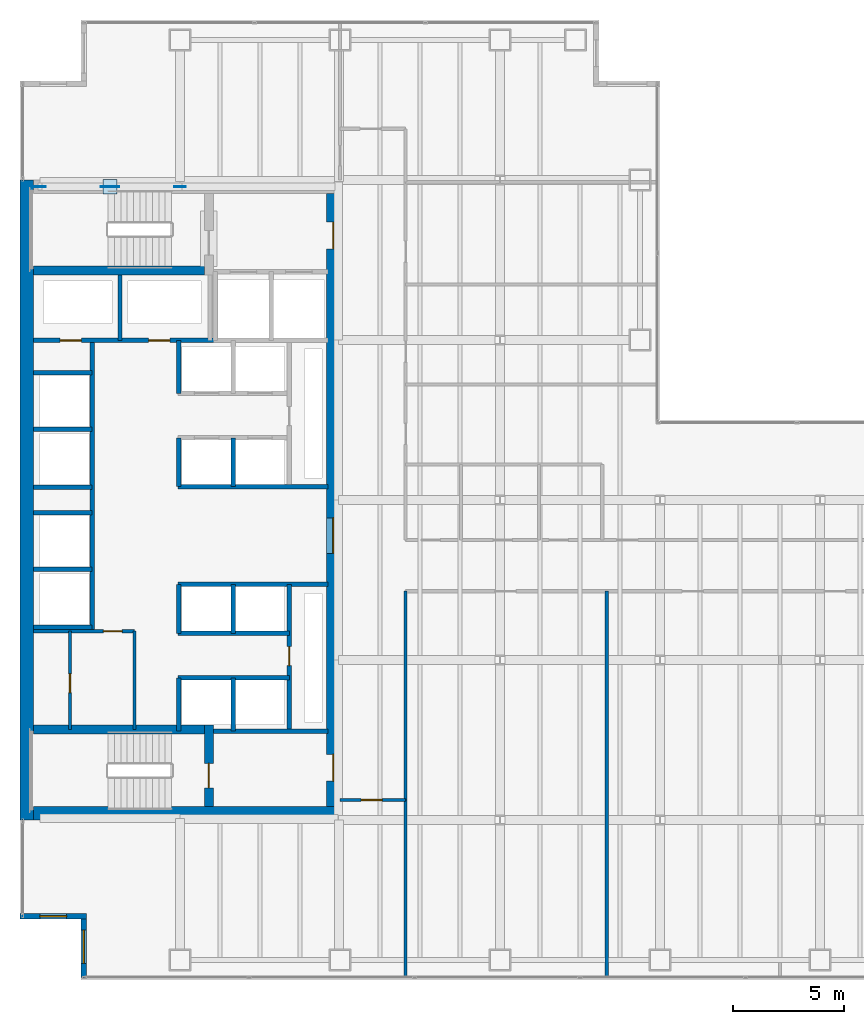
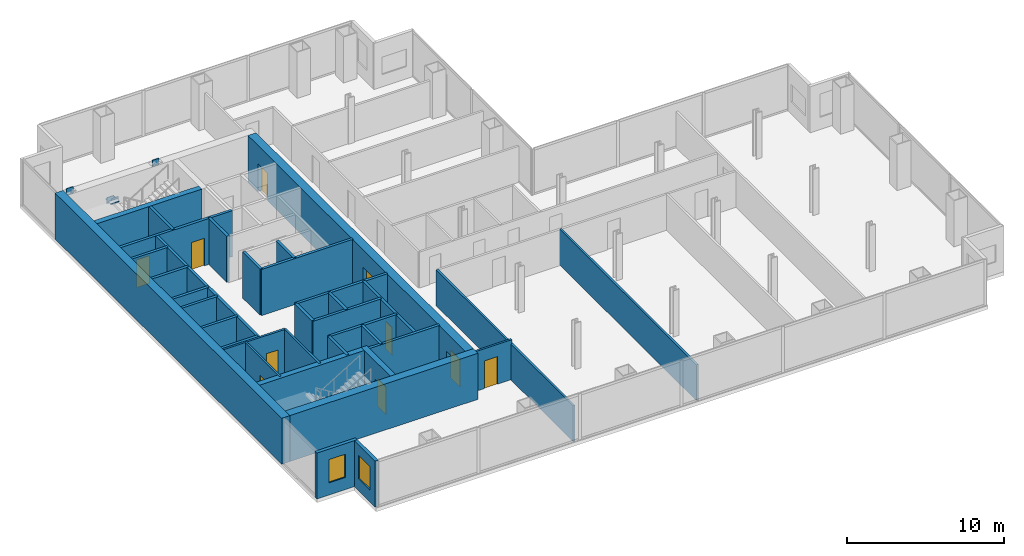
# One storey, part 20 of 23: 37 walls, 10 doors, 5 plates, 2 windows, 12 openings.
"""IFC4 building model written with IfcOpenShell, lengths in metres."""

import ifcopenshell
import ifcopenshell.guid

model = None  # the IFC model being written
_history = None  # IfcOwnerHistory: only IFC2X3 demands one
_inside = {}  # id of a spatial element -> (the spatial element, [elements in it])
_under = {}  # id of a project, library or spatial element -> (it, [spatial elements below it])
_declared = {}  # id of a project -> (the project, [libraries it declares])
_typed = {}  # id of a type object -> (the type object, [elements of that type])
_made_of = {}  # id of a material, layer set ... -> (it, [elements and type objects made of it])


def new_model(schema):
    """Start an empty IFC model of exactly this schema.

    Asked for "IFC4X3", IfcOpenShell would pick the latest addendum, in which some entities
    have other attributes; the version numbers below select the first issue.
    IFC2X3 requires an IfcOwnerHistory on every rooted entity: one is made here for all.
    """
    global model, _history
    if schema == "IFC4X3":
        model = ifcopenshell.file(schema_version=(4, 3, 0, 0))
    else:
        model = ifcopenshell.file(schema=schema)
    _inside.clear()
    _under.clear()
    _declared.clear()
    _typed.clear()
    _made_of.clear()
    _history = None
    if model.schema == "IFC2X3":
        org = make("IfcOrganization", Name="unknown")
        user = make(
            "IfcPersonAndOrganization",
            ThePerson=make("IfcPerson", FamilyName="unknown"),
            TheOrganization=org,
        )
        app = make(
            "IfcApplication",
            ApplicationDeveloper=org,
            Version="unknown",
            ApplicationFullName="unknown",
            ApplicationIdentifier="unknown",
        )
        _history = make(
            "IfcOwnerHistory",
            OwningUser=user,
            OwningApplication=app,
            ChangeAction="ADDED",
            CreationDate=0,
        )
    return model


def make(cls, **values):
    """One entity of the class cls with the attributes given. An attribute that is None is left unset."""
    return model.create_entity(
        cls, **{name: value for name, value in values.items() if value is not None}
    )


def rooted(cls, **values):
    """An entity with a GlobalId (a new one), such as an element, a storey or a relation."""
    return make(cls, GlobalId=ifcopenshell.guid.new(), OwnerHistory=_history, **values)


def si_unit(unit_type, name, prefix=None):
    """IfcSIUnit, for example si_unit("LENGTHUNIT", "METRE", prefix="MILLI")."""
    return make("IfcSIUnit", UnitType=unit_type, Prefix=prefix, Name=name)


def assignment(units):
    """IfcUnitAssignment: the units of a project."""
    return None if units is None else make("IfcUnitAssignment", Units=units)


def point(xyz):
    """IfcCartesianPoint."""
    return None if xyz is None else make("IfcCartesianPoint", Coordinates=xyz)


def direction(xyz):
    """IfcDirection."""
    return None if xyz is None else make("IfcDirection", DirectionRatios=xyz)


def frame(location, z_axis=None, x_axis=None):
    """IfcAxis2Placement3D, a coordinate frame: its origin and axes. An axis left out is left unset."""
    return make(
        "IfcAxis2Placement3D",
        Location=point(location),
        Axis=direction(z_axis),
        RefDirection=direction(x_axis),
    )


def frame_2d(location, x_axis=None):
    """IfcAxis2Placement2D, a coordinate frame in the plane: its origin and x axis."""
    return make(
        "IfcAxis2Placement2D", Location=point(location), RefDirection=direction(x_axis)
    )


def origin():
    """The frame at (0, 0, 0) with its axes left unset."""
    return frame((0.0, 0.0, 0.0))


def origin_2d():
    """The frame at (0, 0) in the plane with its x axis left unset."""
    return frame_2d((0.0, 0.0))


def place(relative_to, where):
    """IfcLocalPlacement: puts the frame where relative to a parent placement (None: the world)."""
    return make(
        "IfcLocalPlacement", PlacementRelTo=relative_to, RelativePlacement=where
    )


def context(
    kind, dimensions, precision=None, world=None, true_north=None, identifier=None
):
    """IfcGeometricRepresentationContext, for example the 3D "Model" context."""
    return make(
        "IfcGeometricRepresentationContext",
        ContextIdentifier=identifier,
        ContextType=kind,
        CoordinateSpaceDimension=dimensions,
        Precision=precision,
        WorldCoordinateSystem=world,
        TrueNorth=true_north,
    )


def subcontext(parent, identifier, kind, view, scale=None):
    """IfcGeometricRepresentationSubContext, for example "Body" below "Model"."""
    return make(
        "IfcGeometricRepresentationSubContext",
        ContextIdentifier=identifier,
        ContextType=kind,
        ParentContext=parent,
        TargetScale=scale,
        TargetView=view,
    )


def project(units=None, contexts=None):
    """IfcProject with its units and contexts."""
    return rooted(
        "IfcProject",
        Name="project",
        RepresentationContexts=contexts,
        UnitsInContext=assignment(units),
    )


def spatial(cls, under=None, at=None, **own):
    """A site, building, storey or space (cls), placed at a placement, below another one or the project."""
    s = rooted(cls, ObjectPlacement=at, **own)
    if under is not None:
        _under.setdefault(under.id(), (under, []))[1].append(s)
    return s


def profile(cls, at=None, kind="AREA", **sizes):
    """A parametric profile (cls). Its sizes go by their IFC names, for example OverallWidth=200.0."""
    return make(cls, ProfileType=kind, Position=at, **sizes)


def rectangle(**sizes):
    """IfcRectangleProfileDef."""
    return profile("IfcRectangleProfileDef", **sizes)


def extrude(swept, where, along, depth):
    """IfcExtrudedAreaSolid: the profile swept, set in the frame where, extruded along a direction by depth."""
    return make(
        "IfcExtrudedAreaSolid",
        SweptArea=swept,
        Position=where,
        ExtrudedDirection=direction(along),
        Depth=depth,
    )


def shape(context_of_items, identifier, shape_type, items):
    """IfcShapeRepresentation: the items that make up one representation, for example the "Body"."""
    return make(
        "IfcShapeRepresentation",
        ContextOfItems=context_of_items,
        RepresentationIdentifier=identifier,
        RepresentationType=shape_type,
        Items=items,
    )


def material(Name=None, Category=None):
    """IfcMaterial."""
    return make("IfcMaterial", Name=Name, Category=Category)


def layer(
    of_material, thickness, ventilated=None, Name=None, Category=None, Priority=None
):
    """IfcMaterialLayer: one layer of a wall or slab, of a material (None: an air gap)."""
    return make(
        "IfcMaterialLayer",
        Material=of_material,
        LayerThickness=thickness,
        IsVentilated=ventilated,
        Name=Name,
        Category=Category,
        Priority=Priority,
    )


def layer_set(layers, Name=None):
    """IfcMaterialLayerSet."""
    return make("IfcMaterialLayerSet", MaterialLayers=layers, LayerSetName=Name)


def made_of(thing, what):
    """Note that an element or type object is made of a material, layer set ...; save() writes the relation."""
    if what is not None:
        _made_of.setdefault(what.id(), (what, []))[1].append(thing)
    return thing


def type_object(cls, material=None, **own):
    """A type object (cls), such as IfcWallType, which elements share."""
    return made_of(rooted(cls, **own), material)


def element(
    cls,
    number,
    at=None,
    inside=None,
    cuts=None,
    type_object=None,
    material=None,
    context=None,
    identifier="Body",
    shape_type=None,
    held_by="IfcProductDefinitionShape",
    body=None,
    shapes=None,
    **own,
):
    """One element of the class cls, such as IfcWall. Its Tag is "e" and its number.

    at: its placement. inside: the storey or other place that contains it. cuts: it is an
    opening in that element (IfcRelVoidsElement). A single representation is given by context,
    identifier, shape_type and body (its items); several are given by shapes. held_by: the class
    of the entity that holds the representations. save() writes the other relations.
    """
    e = rooted(cls, Tag="e%d" % number, ObjectPlacement=at, **own)
    if body is not None:
        shapes = [shape(context, identifier, shape_type, body)]
    if shapes is not None:
        e.Representation = make(held_by, Representations=shapes)
    if inside is not None:
        _inside.setdefault(inside.id(), (inside, []))[1].append(e)
    if cuts is not None:
        rooted(
            "IfcRelVoidsElement", RelatingBuildingElement=cuts, RelatedOpeningElement=e
        )
    if type_object is not None:
        _typed.setdefault(type_object.id(), (type_object, []))[1].append(e)
    return made_of(e, material)


def fill(opening, filler):
    """IfcRelFillsElement: the door or window that sits in an opening."""
    return rooted(
        "IfcRelFillsElement",
        RelatingOpeningElement=opening,
        RelatedBuildingElement=filler,
    )


def aggregate(whole, parts):
    """IfcRelAggregates: a whole, such as a stair, and the parts it consists of."""
    return rooted("IfcRelAggregates", RelatingObject=whole, RelatedObjects=parts)


def save(model, path):
    """Write the relations noted so far, then the file.

    IfcRelAggregates (storeys below a building ...), IfcRelContainedInSpatialStructure (elements
    in a storey), IfcRelDefinesByType, IfcRelAssociatesMaterial and IfcRelDeclares: one each for
    every whole, place, type object, material and project.
    """
    for whole, parts in _under.values():
        aggregate(whole, parts)
    for where, things in _inside.values():
        rooted(
            "IfcRelContainedInSpatialStructure",
            RelatedElements=things,
            RelatingStructure=where,
        )
    for kind, things in _typed.values():
        rooted("IfcRelDefinesByType", RelatedObjects=things, RelatingType=kind)
    for what, things in _made_of.values():
        rooted("IfcRelAssociatesMaterial", RelatedObjects=things, RelatingMaterial=what)
    for by, libraries in _declared.values():
        rooted("IfcRelDeclares", RelatingContext=by, RelatedDefinitions=libraries)
    model.write(path)


model = new_model("IFC4")

# Units and contexts
model_context = context("Model", 3, precision=1e-05, world=origin(), true_north=direction((0.0, 1.0)))
body_context = subcontext(model_context, "Body", "Model", "MODEL_VIEW")
ifc_project = project(units=[si_unit("LENGTHUNIT", "METRE"), si_unit("AREAUNIT", "SQUARE_METRE"), si_unit("VOLUMEUNIT", "CUBIC_METRE"), si_unit("PLANEANGLEUNIT", "RADIAN"), si_unit("MASSUNIT", "GRAM", prefix="KILO")], contexts=[model_context])

# Site, building, storey
site_placement = place(None, origin())
site = spatial("IfcSite", under=ifc_project, at=site_placement, CompositionType="ELEMENT")
building_placement = place(site_placement, origin())
building = spatial("IfcBuilding", under=site, at=building_placement, Name="Cobrela Telecom Tower", CompositionType="ELEMENT")
storey_placement = place(building_placement, frame((0.0, 0.0, 73.5)))
storey = spatial("IfcBuildingStorey", under=building, at=storey_placement, Name="L18", CompositionType="ELEMENT", Elevation=73.5)

# Plates
ifc_material_1 = material(Name="Steel ASTM A572 Grade 50", Category="steel")
ifc_layer_1 = layer(ifc_material_1, 0.0419921875)
ifc_layer_set_1 = layer_set([ifc_layer_1], Name="Steel ASTM A572 Grade 50")
plate_type = type_object("IfcPlateType", Name="PLT-NODE-ND1", PredefinedType="USERDEFINED", material=ifc_layer_set_1)
for number, where, z_axis, x_axis, name in (
    (1, (7.199951171875, 35.699951171875, 3.35498046875), (0.0, 0.0, 1.0), (1.0, 0.0, 0.0), "Steel node plate PLT-MBR-EXO-L18-N1-A-1"),
    (2, (4.219482421875, 35.699951171875, 1.431640625), (0.0, 0.0, 1.0), (-1.0, 0.0, 0.0), "Steel node plate PLT-MBR-EXO-L18-N1-B1-1"),
    (3, (3.88037109375, 35.699951171875, 1.62841796875), (0.0, 0.0, 1.0), (-1.0, 0.0, 0.0), "Steel node plate PLT-MBR-EXO-L18-N1-B2-0"),
    (4, (0.89990234375, 35.699951171875, 3.35498046875), (0.0, 0.0, 1.0), (-1.0, 0.0, 0.0), "Steel node plate PLT-MBR-EXO-L18-N1-B2-1"),
):
    element("IfcPlate", number, at=place(storey_placement, frame(where, z_axis=z_axis, x_axis=x_axis)), inside=storey, type_object=plate_type, Name=name, ObjectType="GUSSET PLATE", PredefinedType="USERDEFINED", context=body_context, shape_type="SweptSolid", body=[
        extrude(rectangle(XDim=0.510009765625, YDim=0.044921875, at=origin_2d()), origin(), (0.0, 0.0, 1.0), 0.510009765625),
    ])
plate_placement = place(storey_placement, frame((4.050048828125, 35.699951171875, 1.762451171875), z_axis=(0.0, 0.0, 1.0), x_axis=(1.0, 0.0, 0.0)))
element("IfcPlate", 5, at=plate_placement, inside=storey, type_object=plate_type, Name="L18 Core Flange Steel X-Brace Central X-Crossing Gusset Plate", ObjectType="GUSSET PLATE", PredefinedType="USERDEFINED", context=body_context, shape_type="SweptSolid", body=[
    extrude(rectangle(XDim=0.64990234375, YDim=0.64990234375, at=origin_2d()), origin(), (0.0, 0.0, 1.0), 0.044921875),
])

# Walls
ifc_material_2 = material(Name="Concrete C50/60", Category="concrete")
ifc_layer_2 = layer(ifc_material_2, 0.60009765625)
ifc_layer_set_2 = layer_set([ifc_layer_2], Name="Concrete C50/60")
wall_type_1 = type_object("IfcWallType", Name="WALL-CORE-C50-600", PredefinedType="SHEAR", material=ifc_layer_set_2)
wall_1_placement = place(storey_placement, frame((0.300048828125, 7.199951171875, 0.0), z_axis=(0.0, 0.0, 1.0), x_axis=(0.0, 1.0, 0.0)))
element("IfcWall", 6, at=wall_1_placement, inside=storey, type_object=wall_type_1, Name="L18 West Core Shear Wall", PredefinedType="SHEAR", context=body_context, shape_type="SweptSolid", body=[
    extrude(rectangle(XDim=28.800048828125, YDim=0.60009765625, at=frame_2d((14.39990234375, 0.0))), origin(), (0.0, 0.0, 1.0), 3.570068359375),
])
wall_2_placement = place(storey_placement, frame((0.60009765625, 7.5, 0.0), z_axis=(0.0, 0.0, 1.0), x_axis=(1.0, 0.0, 0.0)))
element("IfcWall", 7, at=wall_2_placement, inside=storey, type_object=wall_type_1, Name="L18 South Core Shear Wall", PredefinedType="SHEAR", context=body_context, shape_type="SweptSolid", body=[
    extrude(rectangle(XDim=13.7998046875, YDim=0.60009765625, at=frame_2d((6.89990234375, 0.0))), origin(), (0.0, 0.0, 1.0), 3.570068359375),
])

# Wall, openings, doors
wall_3_placement = place(storey_placement, frame((14.10009765625, 35.39990234375, 0.0), z_axis=(0.0, 0.0, 1.0), x_axis=(0.0, -1.0, 0.0)))
wall_3 = element("IfcWall", 8, at=wall_3_placement, inside=storey, type_object=wall_type_1, Name="L18 East Core Shear Wall", PredefinedType="SHEAR", context=body_context, shape_type="SweptSolid", body=[
    extrude(rectangle(XDim=27.599853515625, YDim=0.60009765625, at=frame_2d((13.7998046875, 0.0))), origin(), (0.0, 0.0, 1.0), 3.570068359375),
])
opening_1_placement = place(wall_3_placement, frame((1.300048828125, 0.0, 0.0)))
opening_1 = element("IfcOpeningElement", 9, at=opening_1_placement, cuts=wall_3, Name="Opening DR-19", PredefinedType="OPENING", context=body_context, shape_type="SweptSolid", body=[
    extrude(rectangle(XDim=1.199951171875, YDim=2.14990234375, at=frame_2d((0.60009765625, 1.074951171875))), frame((0.0, 0.31201171875, 0.0), z_axis=(0.0, -1.0, 0.0), x_axis=(1.0, 0.0, 0.0)), (0.0, 0.0, 1.0), 0.6240234375),
])
opening_2_placement = place(wall_3_placement, frame((25.25, 0.0, 0.0)))
opening_2 = element("IfcOpeningElement", 10, at=opening_2_placement, cuts=wall_3, Name="Opening DR-19", PredefinedType="OPENING", context=body_context, shape_type="SweptSolid", body=[
    extrude(rectangle(XDim=1.199951171875, YDim=2.14990234375, at=frame_2d((0.60009765625, 1.074951171875))), frame((0.0, 0.31201171875, 0.0), z_axis=(0.0, -1.0, 0.0), x_axis=(1.0, 0.0, 0.0)), (0.0, 0.0, 1.0), 0.6240234375),
])
opening_3_placement = place(wall_3_placement, frame((14.60009765625, 0.0, 0.0)))
opening_3 = element("IfcOpeningElement", 11, at=opening_3_placement, cuts=wall_3, Name="Opening DR-51", PredefinedType="OPENING", context=body_context, shape_type="SweptSolid", body=[
    extrude(rectangle(XDim=1.60009765625, YDim=2.199951171875, at=frame_2d((0.800048828125, 1.10009765625))), frame((0.0, 0.31201171875, 0.0), z_axis=(0.0, -1.0, 0.0), x_axis=(1.0, 0.0, 0.0)), (0.0, 0.0, 1.0), 0.6240234375),
])
ifc_material_3 = material(Name="Steel ASTM A36", Category="steel")
door_type_1 = type_object("IfcDoorType", Name="DOOR-FD60-1200", OperationType="SINGLE_SWING_LEFT", PredefinedType="DOOR", material=ifc_material_3)
door_1_placement = place(opening_1_placement, origin())
door_1 = element("IfcDoor", 12, at=door_1_placement, inside=storey, type_object=door_type_1, Name="L18 Door DR-19", OperationType="SINGLE_SWING_LEFT", OverallHeight=2.14990234375, OverallWidth=1.199951171875, PredefinedType="DOOR", context=body_context, shape_type="SweptSolid", body=[
    extrude(rectangle(XDim=1.199951171875, YDim=2.14990234375, at=frame_2d((0.60009765625, 1.074951171875))), frame((0.0, 0.02490234375, 0.0), z_axis=(0.0, -1.0, 0.0), x_axis=(1.0, 0.0, 0.0)), (0.0, 0.0, 1.0), 0.050048828125),
])
fill(opening_1, door_1)
door_2_placement = place(opening_2_placement, origin())
door_2 = element("IfcDoor", 13, at=door_2_placement, inside=storey, type_object=door_type_1, Name="L18 Door DR-19", OperationType="SINGLE_SWING_RIGHT", OverallHeight=2.14990234375, OverallWidth=1.199951171875, PredefinedType="DOOR", context=body_context, shape_type="SweptSolid", body=[
    extrude(rectangle(XDim=1.199951171875, YDim=2.14990234375, at=frame_2d((0.60009765625, 1.074951171875))), frame((0.0, 0.02490234375, 0.0), z_axis=(0.0, -1.0, 0.0), x_axis=(1.0, 0.0, 0.0)), (0.0, 0.0, 1.0), 0.050048828125),
])
fill(opening_2, door_2)
door_type_2 = type_object("IfcDoorType", Name="DOOR-FD60-1600", OperationType="SINGLE_SWING_LEFT", PredefinedType="DOOR", material=ifc_material_3)
door_3_placement = place(opening_3_placement, origin())
door_3 = element("IfcDoor", 14, at=door_3_placement, inside=storey, type_object=door_type_2, Name="L18 Door DR-51", OperationType="DOUBLE_DOOR_SINGLE_SWING", OverallHeight=2.199951171875, OverallWidth=1.60009765625, PredefinedType="DOOR", context=body_context, shape_type="SweptSolid", body=[
    extrude(rectangle(XDim=1.60009765625, YDim=2.199951171875, at=frame_2d((0.800048828125, 1.10009765625))), frame((0.0, 0.02490234375, 0.0), z_axis=(0.0, -1.0, 0.0), x_axis=(1.0, 0.0, 0.0)), (0.0, 0.0, 1.0), 0.050048828125),
])
fill(opening_3, door_3)

# Wall, opening, window
ifc_material_4 = material(Name="Concrete C40/50", Category="concrete")
ifc_layer_3 = layer(ifc_material_4, 0.239990234375)
ifc_layer_set_3 = layer_set([ifc_layer_3], Name="Concrete C40/50")
wall_type_2 = type_object("IfcWallType", Name="WALL-EXT-300", PredefinedType="STANDARD", material=ifc_layer_set_3)
wall_4_placement = place(storey_placement, frame((2.8701171875, 0.1201171875, 0.0), z_axis=(0.0, 0.0, 1.0), x_axis=(0.0, 1.0, 0.0)))
wall_4 = element("IfcWall", 15, at=wall_4_placement, inside=storey, type_object=wall_type_2, Name="L18 Insulated Facade Wall 01", PredefinedType="STANDARD", context=body_context, shape_type="SweptSolid", body=[
    extrude(rectangle(XDim=2.75, YDim=0.239990234375, at=frame_2d((1.375, 0.0))), origin(), (0.0, 0.0, 1.0), 3.570068359375),
])
opening_4_placement = place(wall_4_placement, frame((0.625, 0.0, 0.949951171875)))
opening_4 = element("IfcOpeningElement", 16, at=opening_4_placement, cuts=wall_4, Name="Opening WN-45", PredefinedType="OPENING", context=body_context, shape_type="SweptSolid", body=[
    extrude(rectangle(XDim=1.5, YDim=1.800048828125, at=frame_2d((0.75, 0.89990234375))), frame((0.0, 0.1318359375, 0.0), z_axis=(0.0, -1.0, 0.0), x_axis=(1.0, 0.0, 0.0)), (0.0, 0.0, 1.0), 0.263916015625),
])
ifc_material_5 = material(Name="Solar-Control Bronze Low-E Glass", Category="glass")
window_type_1 = type_object("IfcWindowType", Name="WIN-MOD-1500", PartitioningType="SINGLE_PANEL", PredefinedType="WINDOW", material=ifc_material_5)
window_1_placement = place(opening_4_placement, origin())
window_1 = element("IfcWindow", 17, at=window_1_placement, inside=storey, type_object=window_type_1, Name="L18 Corner Notch Facade Window 080", OverallHeight=1.800048828125, OverallWidth=1.5, PartitioningType="SINGLE_PANEL", PredefinedType="WINDOW", context=body_context, shape_type="SweptSolid", body=[
    extrude(rectangle(XDim=1.5, YDim=1.800048828125, at=frame_2d((0.75, 0.89990234375))), frame((0.0, 0.030029296875, 0.0), z_axis=(0.0, -1.0, 0.0), x_axis=(1.0, 0.0, 0.0)), (0.0, 0.0, 1.0), 0.06005859375),
])
fill(opening_4, window_1)

wall_5_placement = place(storey_placement, frame((2.989990234375, 2.8701171875, 0.0), z_axis=(0.0, 0.0, 1.0), x_axis=(-1.0, 0.0, 0.0)))
wall_5 = element("IfcWall", 18, at=wall_5_placement, inside=storey, type_object=wall_type_2, Name="L18 Insulated Facade Wall 02", PredefinedType="STANDARD", context=body_context, shape_type="SweptSolid", body=[
    extrude(rectangle(XDim=2.989990234375, YDim=0.239990234375, at=frame_2d((1.4951171875, 0.0))), origin(), (0.0, 0.0, 1.0), 3.570068359375),
])
opening_5_placement = place(wall_5_placement, frame((0.89501953125, 0.0, 0.949951171875)))
opening_5 = element("IfcOpeningElement", 19, at=opening_5_placement, cuts=wall_5, Name="Opening WN-19", PredefinedType="OPENING", context=body_context, shape_type="SweptSolid", body=[
    extrude(rectangle(XDim=1.199951171875, YDim=1.800048828125, at=frame_2d((0.60009765625, 0.89990234375))), frame((0.0, 0.1318359375, 0.0), z_axis=(0.0, -1.0, 0.0), x_axis=(1.0, 0.0, 0.0)), (0.0, 0.0, 1.0), 0.263916015625),
])
window_type_2 = type_object("IfcWindowType", Name="WIN-MOD-1200", PartitioningType="SINGLE_PANEL", PredefinedType="WINDOW", material=ifc_material_5)
window_2_placement = place(opening_5_placement, origin())
window_2 = element("IfcWindow", 20, at=window_2_placement, inside=storey, type_object=window_type_2, Name="L18 Corner Notch Facade Window 081", OverallHeight=1.800048828125, OverallWidth=1.199951171875, PartitioningType="SINGLE_PANEL", PredefinedType="WINDOW", context=body_context, shape_type="SweptSolid", body=[
    extrude(rectangle(XDim=1.199951171875, YDim=1.800048828125, at=frame_2d((0.60009765625, 0.89990234375))), frame((0.0, 0.030029296875, 0.0), z_axis=(0.0, -1.0, 0.0), x_axis=(1.0, 0.0, 0.0)), (0.0, 0.0, 1.0), 0.06005859375),
])
fill(opening_5, window_2)

# Wall, opening, door
ifc_material_6 = material(Name="Fire-Rated Gypsum Plasterboard")
ifc_layer_4 = layer(ifc_material_6, 0.125)
ifc_layer_set_4 = layer_set([ifc_layer_4], Name="Fire-Rated Gypsum Plasterboard")
wall_type_3 = type_object("IfcWallType", Name="WALL-PART-125", PredefinedType="PARTITIONING", material=ifc_layer_set_4)
wall_6_placement = place(storey_placement, frame((2.25, 11.280029296875, 0.0), z_axis=(0.0, 0.0, 1.0), x_axis=(0.0, 1.0, 0.0)))
wall_6 = element("IfcWall", 21, at=wall_6_placement, inside=storey, type_object=wall_type_3, Name="L18 Interior Partition CW-FK0-V", PredefinedType="PARTITIONING", context=body_context, shape_type="SweptSolid", body=[
    extrude(rectangle(XDim=4.419921875, YDim=0.125, at=frame_2d((2.2099609375, 0.0))), origin(), (0.0, 0.0, 1.0), 3.570068359375),
])
opening_6_placement = place(wall_6_placement, frame((1.64990234375, 0.0, 0.0)))
opening_6 = element("IfcOpeningElement", 22, at=opening_6_placement, cuts=wall_6, Name="Opening DR-11", PredefinedType="OPENING", context=body_context, shape_type="SweptSolid", body=[
    extrude(rectangle(XDim=0.85009765625, YDim=2.14990234375, at=frame_2d((0.425048828125, 1.074951171875))), frame((0.0, 0.074462890625, 0.0), z_axis=(0.0, -1.0, 0.0), x_axis=(1.0, 0.0, 0.0)), (0.0, 0.0, 1.0), 0.14892578125),
])
ifc_material_7 = material(Name="Solid Engineered Oak Timber", Category="wood")
door_type_3 = type_object("IfcDoorType", Name="DOOR-INT-850", OperationType="SINGLE_SWING_LEFT", PredefinedType="DOOR", material=ifc_material_7)
door_4_placement = place(opening_6_placement, origin())
door_4 = element("IfcDoor", 23, at=door_4_placement, inside=storey, type_object=door_type_3, Name="L18 Door DR-11", OperationType="SINGLE_SWING_LEFT", OverallHeight=2.14990234375, OverallWidth=0.85009765625, PredefinedType="DOOR", context=body_context, shape_type="SweptSolid", body=[
    extrude(rectangle(XDim=0.85009765625, YDim=2.14990234375, at=frame_2d((0.425048828125, 1.074951171875))), frame((0.0, 0.02490234375, 0.0), z_axis=(0.0, -1.0, 0.0), x_axis=(1.0, 0.0, 0.0)), (0.0, 0.0, 1.0), 0.050048828125),
])
fill(opening_6, door_4)

ifc_layer_5 = layer(ifc_material_6, 0.14990234375)
ifc_layer_set_5 = layer_set([ifc_layer_5], Name="Fire-Rated Gypsum Plasterboard")
wall_type_4 = type_object("IfcWallType", Name="WALL-PART-150", PredefinedType="PARTITIONING", material=ifc_layer_set_5)
wall_7_placement = place(storey_placement, frame((0.60009765625, 15.699951171875, 0.0), z_axis=(0.0, 0.0, 1.0), x_axis=(1.0, 0.0, 0.0)))
wall_7 = element("IfcWall", 24, at=wall_7_placement, inside=storey, type_object=wall_type_4, Name="L18 Interior Partition CW-FLEX-N", PredefinedType="PARTITIONING", context=body_context, shape_type="SweptSolid", body=[
    extrude(rectangle(XDim=4.5498046875, YDim=0.14990234375, at=frame_2d((2.27490234375, 0.0))), origin(), (0.0, 0.0, 1.0), 3.570068359375),
])
opening_7_placement = place(wall_7_placement, frame((3.14990234375, 0.0, 0.0)))
opening_7 = element("IfcOpeningElement", 25, at=opening_7_placement, cuts=wall_7, Name="Opening DR-11", PredefinedType="OPENING", context=body_context, shape_type="SweptSolid", body=[
    extrude(rectangle(XDim=0.85009765625, YDim=2.14990234375, at=frame_2d((0.425048828125, 1.074951171875))), frame((0.0, 0.0869140625, 0.0), z_axis=(0.0, -1.0, 0.0), x_axis=(1.0, 0.0, 0.0)), (0.0, 0.0, 1.0), 0.173828125),
])
door_5_placement = place(opening_7_placement, origin())
door_5 = element("IfcDoor", 26, at=door_5_placement, inside=storey, type_object=door_type_3, Name="L18 Door DR-11", OperationType="SINGLE_SWING_RIGHT", OverallHeight=2.14990234375, OverallWidth=0.85009765625, PredefinedType="DOOR", context=body_context, shape_type="SweptSolid", body=[
    extrude(rectangle(XDim=0.85009765625, YDim=2.14990234375, at=frame_2d((0.425048828125, 1.074951171875))), frame((0.0, 0.02490234375, 0.0), z_axis=(0.0, -1.0, 0.0), x_axis=(1.0, 0.0, 0.0)), (0.0, 0.0, 1.0), 0.050048828125),
])
fill(opening_7, door_5)

# Wall
wall_8_placement = place(storey_placement, frame((5.14990234375, 11.280029296875, 0.0), z_axis=(0.0, 0.0, 1.0), x_axis=(0.0, 1.0, 0.0)))
element("IfcWall", 27, at=wall_8_placement, inside=storey, type_object=wall_type_4, Name="L18 Interior Partition CW-FLEX-E", PredefinedType="PARTITIONING", context=body_context, shape_type="SweptSolid", body=[
    extrude(rectangle(XDim=4.419921875, YDim=0.14990234375, at=frame_2d((2.2099609375, 0.0))), origin(), (0.0, 0.0, 1.0), 3.570068359375),
])

# Wall, opening, door
wall_9_placement = place(storey_placement, frame((14.39990234375, 8.10009765625, 0.0), z_axis=(0.0, 0.0, 1.0), x_axis=(1.0, 0.0, 0.0)))
wall_9 = element("IfcWall", 28, at=wall_9_placement, inside=storey, type_object=wall_type_4, Name="L18 Interior Partition W-C-S0", PredefinedType="PARTITIONING", context=body_context, shape_type="SweptSolid", body=[
    extrude(rectangle(XDim=2.9501953125, YDim=0.14990234375, at=frame_2d((1.47509765625, 0.0))), origin(), (0.0, 0.0, 1.0), 3.087890625),
])
opening_8_placement = place(wall_9_placement, frame((0.949951171875, 0.0, 0.0)))
opening_8 = element("IfcOpeningElement", 29, at=opening_8_placement, cuts=wall_9, Name="Opening DR-67", PredefinedType="OPENING", context=body_context, shape_type="SweptSolid", body=[
    extrude(rectangle(XDim=0.949951171875, YDim=2.14990234375, at=frame_2d((0.47509765625, 1.074951171875))), frame((0.0, 0.0869140625, 0.0), z_axis=(0.0, -1.0, 0.0), x_axis=(1.0, 0.0, 0.0)), (0.0, 0.0, 1.0), 0.173828125),
])
door_type_4 = type_object("IfcDoorType", Name="DOOR-INT-950", OperationType="SINGLE_SWING_LEFT", PredefinedType="DOOR", material=ifc_material_7)
door_6_placement = place(opening_8_placement, origin())
door_6 = element("IfcDoor", 30, at=door_6_placement, inside=storey, type_object=door_type_4, Name="L18 Door DR-67", OperationType="SINGLE_SWING_RIGHT", OverallHeight=2.14990234375, OverallWidth=0.949951171875, PredefinedType="DOOR", context=body_context, shape_type="SweptSolid", body=[
    extrude(rectangle(XDim=0.949951171875, YDim=2.14990234375, at=frame_2d((0.47509765625, 1.074951171875))), frame((0.0, 0.02490234375, 0.0), z_axis=(0.0, -1.0, 0.0), x_axis=(1.0, 0.0, 0.0)), (0.0, 0.0, 1.0), 0.050048828125),
])
fill(opening_8, door_6)

# Walls
wall_10_placement = place(storey_placement, frame((17.35009765625, 8.10009765625, 0.0), z_axis=(0.0, 0.0, 1.0), x_axis=(0.0, 1.0, 0.0)))
element("IfcWall", 31, at=wall_10_placement, inside=storey, type_object=wall_type_4, Name="L18 Interior Partition W-C-E1", PredefinedType="PARTITIONING", context=body_context, shape_type="SweptSolid", body=[
    extrude(rectangle(XDim=9.39990234375, YDim=0.14990234375, at=frame_2d((4.699951171875, 0.0))), origin(), (0.0, 0.0, 1.0), 2.782958984375),
])
wall_11_placement = place(storey_placement, frame((17.35009765625, 0.1201171875, 0.0), z_axis=(0.0, 0.0, 1.0), x_axis=(0.0, 1.0, 0.0)))
element("IfcWall", 32, at=wall_11_placement, inside=storey, type_object=wall_type_4, Name="L18 Interior Partition W-SW-E", PredefinedType="PARTITIONING", context=body_context, shape_type="SweptSolid", body=[
    extrude(rectangle(XDim=7.97998046875, YDim=0.14990234375, at=frame_2d((3.989990234375, 0.0))), origin(), (0.0, 0.0, 1.0), 2.782958984375),
])
wall_12_placement = place(storey_placement, frame((26.39990234375, 0.1201171875, 0.0), z_axis=(0.0, 0.0, 1.0), x_axis=(0.0, 1.0, 0.0)))
element("IfcWall", 33, at=wall_12_placement, inside=storey, type_object=wall_type_4, Name="L18 Interior Partition W-SV-1", PredefinedType="PARTITIONING", context=body_context, shape_type="SweptSolid", body=[
    extrude(rectangle(XDim=17.3798828125, YDim=0.14990234375, at=frame_2d((8.68994140625, 0.0))), origin(), (0.0, 0.0, 1.0), 2.782958984375),
])
ifc_layer_6 = layer(ifc_material_6, 0.199951171875)
ifc_layer_set_6 = layer_set([ifc_layer_6], Name="Fire-Rated Gypsum Plasterboard")
wall_type_5 = type_object("IfcWallType", Name="WALL-SHAFT-200", PredefinedType="PARTITIONING", material=ifc_layer_set_6)
wall_13_placement = place(storey_placement, frame((8.699951171875, 11.199951171875, 0.0), z_axis=(0.0, 0.0, 1.0), x_axis=(1.0, 0.0, 0.0)))
element("IfcWall", 34, at=wall_13_placement, inside=storey, type_object=wall_type_5, Name="L18 Shaft Enclosure CW-ST2L-N", PredefinedType="PARTITIONING", context=body_context, shape_type="SweptSolid", body=[
    extrude(rectangle(XDim=5.150146484375, YDim=0.199951171875, at=frame_2d((2.5751953125, 0.0))), origin(), (0.0, 0.0, 1.0), 3.570068359375),
])

# Wall, openings, doors
wall_14_placement = place(storey_placement, frame((0.60009765625, 28.780029296875, 0.0), z_axis=(0.0, 0.0, 1.0), x_axis=(1.0, 0.0, 0.0)))
wall_14 = element("IfcWall", 35, at=wall_14_placement, inside=storey, type_object=wall_type_5, Name="L18 Shaft Enclosure CW-RIS-S", PredefinedType="PARTITIONING", context=body_context, shape_type="SweptSolid", body=[
    extrude(rectangle(XDim=8.179931640625, YDim=0.199951171875, at=frame_2d((4.08984375, 0.0))), origin(), (0.0, 0.0, 1.0), 3.570068359375),
])
opening_9_placement = place(wall_14_placement, frame((1.2099609375, 0.0, 0.0)))
opening_9 = element("IfcOpeningElement", 36, at=opening_9_placement, cuts=wall_14, Name="Opening DR-65", PredefinedType="OPENING", context=body_context, shape_type="SweptSolid", body=[
    extrude(rectangle(XDim=0.949951171875, YDim=2.14990234375, at=frame_2d((0.47509765625, 1.074951171875))), frame((0.0, 0.11181640625, 0.0), z_axis=(0.0, -1.0, 0.0), x_axis=(1.0, 0.0, 0.0)), (0.0, 0.0, 1.0), 0.223876953125),
])
opening_10_placement = place(wall_14_placement, frame((5.18994140625, 0.0, 0.0)))
opening_10 = element("IfcOpeningElement", 37, at=opening_10_placement, cuts=wall_14, Name="Opening DR-65", PredefinedType="OPENING", context=body_context, shape_type="SweptSolid", body=[
    extrude(rectangle(XDim=0.949951171875, YDim=2.14990234375, at=frame_2d((0.47509765625, 1.074951171875))), frame((0.0, 0.11181640625, 0.0), z_axis=(0.0, -1.0, 0.0), x_axis=(1.0, 0.0, 0.0)), (0.0, 0.0, 1.0), 0.223876953125),
])
door_type_5 = type_object("IfcDoorType", Name="DOOR-FD60-950", OperationType="SINGLE_SWING_LEFT", PredefinedType="DOOR", material=ifc_material_3)
door_7_placement = place(opening_9_placement, origin())
door_7 = element("IfcDoor", 38, at=door_7_placement, inside=storey, type_object=door_type_5, Name="L18 Door DR-65", OperationType="SINGLE_SWING_LEFT", OverallHeight=2.14990234375, OverallWidth=0.949951171875, PredefinedType="DOOR", context=body_context, shape_type="SweptSolid", body=[
    extrude(rectangle(XDim=0.949951171875, YDim=2.14990234375, at=frame_2d((0.47509765625, 1.074951171875))), frame((0.0, 0.02490234375, 0.0), z_axis=(0.0, -1.0, 0.0), x_axis=(1.0, 0.0, 0.0)), (0.0, 0.0, 1.0), 0.050048828125),
])
fill(opening_9, door_7)
door_8_placement = place(opening_10_placement, origin())
door_8 = element("IfcDoor", 39, at=door_8_placement, inside=storey, type_object=door_type_5, Name="L18 Door DR-65", OperationType="SINGLE_SWING_RIGHT", OverallHeight=2.14990234375, OverallWidth=0.949951171875, PredefinedType="DOOR", context=body_context, shape_type="SweptSolid", body=[
    extrude(rectangle(XDim=0.949951171875, YDim=2.14990234375, at=frame_2d((0.47509765625, 1.074951171875))), frame((0.0, 0.02490234375, 0.0), z_axis=(0.0, -1.0, 0.0), x_axis=(1.0, 0.0, 0.0)), (0.0, 0.0, 1.0), 0.050048828125),
])
fill(opening_10, door_8)

# Walls
wall_15_placement = place(storey_placement, frame((4.5, 28.780029296875, 0.0), z_axis=(0.0, 0.0, 1.0), x_axis=(0.0, 1.0, 0.0)))
element("IfcWall", 40, at=wall_15_placement, inside=storey, type_object=wall_type_5, Name="L18 Shaft Enclosure CW-RIS-M", PredefinedType="PARTITIONING", context=body_context, shape_type="SweptSolid", body=[
    extrude(rectangle(XDim=2.93994140625, YDim=0.199951171875, at=frame_2d((1.469970703125, 0.0))), origin(), (0.0, 0.0, 1.0), 3.570068359375),
])
wall_16_placement = place(storey_placement, frame((3.25, 15.699951171875, 0.0), z_axis=(0.0, 0.0, 1.0), x_axis=(0.0, 1.0, 0.0)))
element("IfcWall", 41, at=wall_16_placement, inside=storey, type_object=wall_type_5, Name="L18 Shaft Enclosure CW-PLH-E", PredefinedType="PARTITIONING", context=body_context, shape_type="SweptSolid", body=[
    extrude(rectangle(XDim=13.080078125, YDim=0.199951171875, at=frame_2d((6.5400390625, 0.0))), origin(), (0.0, 0.0, 1.0), 3.570068359375),
])
for number, where, z_axis, x_axis, name in (
    (42, (0.60009765625, 15.8798828125, 0.0), (0.0, 0.0, 1.0), (1.0, 0.0, 0.0), "L18 Shaft Enclosure CW-PLH-D9"),
    (43, (0.60009765625, 18.47998046875, 0.0), (0.0, 0.0, 1.0), (1.0, 0.0, 0.0), "L18 Shaft Enclosure CW-PLH-D10"),
    (44, (0.60009765625, 22.179931640625, 0.0), (0.0, 0.0, 1.0), (1.0, 0.0, 0.0), "L18 Shaft Enclosure CW-PLH-D11"),
    (45, (0.60009765625, 24.780029296875, 0.0), (0.0, 0.0, 1.0), (1.0, 0.0, 0.0), "L18 Shaft Enclosure CW-PLH-D12"),
    (46, (0.60009765625, 21.02001953125, 0.0), (0.0, 0.0, 1.0), (1.0, 0.0, 0.0), "L18 Shaft Enclosure CW-PLH-MID"),
    (47, (0.60009765625, 27.320068359375, 0.0), (0.0, 0.0, 1.0), (1.0, 0.0, 0.0), "L18 Shaft Enclosure CW-PLH-TOP"),
):
    element("IfcWall", number, at=place(storey_placement, frame(where, z_axis=z_axis, x_axis=x_axis)), inside=storey, type_object=wall_type_5, Name=name, PredefinedType="PARTITIONING", context=body_context, shape_type="SweptSolid", body=[
        extrude(rectangle(XDim=2.64990234375, YDim=0.199951171875, at=frame_2d((1.324951171875, 0.0))), origin(), (0.0, 0.0, 1.0), 3.570068359375),
    ])
wall_17_placement = place(storey_placement, frame((7.10009765625, 22.199951171875, 0.0), z_axis=(0.0, 0.0, 1.0), x_axis=(1.0, 0.0, 0.0)))
element("IfcWall", 48, at=wall_17_placement, inside=storey, type_object=wall_type_5, Name="L18 Shaft Enclosure CW-PLL-B0", PredefinedType="PARTITIONING", context=body_context, shape_type="SweptSolid", body=[
    extrude(rectangle(XDim=6.75, YDim=0.199951171875, at=frame_2d((3.375, 0.0))), origin(), (0.0, 0.0, 1.0), 3.570068359375),
])
wall_18_placement = place(storey_placement, frame((7.14990234375, 22.199951171875, 0.0), z_axis=(0.0, 0.0, 1.0), x_axis=(0.0, 1.0, 0.0)))
element("IfcWall", 49, at=wall_18_placement, inside=storey, type_object=wall_type_5, Name="L18 Shaft Enclosure CW-PLL-V1", PredefinedType="PARTITIONING", context=body_context, shape_type="SweptSolid", body=[
    extrude(rectangle(XDim=2.199951171875, YDim=0.199951171875, at=frame_2d((1.10009765625, 0.0))), origin(), (0.0, 0.0, 1.0), 3.570068359375),
])
wall_19_placement = place(storey_placement, frame((7.14990234375, 26.39990234375, 0.0), z_axis=(0.0, 0.0, 1.0), x_axis=(0.0, 1.0, 0.0)))
element("IfcWall", 50, at=wall_19_placement, inside=storey, type_object=wall_type_5, Name="L18 Shaft Enclosure CW-PLL-V1B", PredefinedType="PARTITIONING", context=body_context, shape_type="SweptSolid", body=[
    extrude(rectangle(XDim=2.380126953125, YDim=0.199951171875, at=frame_2d((1.18994140625, 0.0))), origin(), (0.0, 0.0, 1.0), 3.570068359375),
])
wall_20_placement = place(storey_placement, frame((9.60009765625, 22.199951171875, 0.0), z_axis=(0.0, 0.0, 1.0), x_axis=(0.0, 1.0, 0.0)))
element("IfcWall", 51, at=wall_20_placement, inside=storey, type_object=wall_type_5, Name="L18 Shaft Enclosure CW-PLL-V2", PredefinedType="PARTITIONING", context=body_context, shape_type="SweptSolid", body=[
    extrude(rectangle(XDim=2.199951171875, YDim=0.199951171875, at=frame_2d((1.10009765625, 0.0))), origin(), (0.0, 0.0, 1.0), 3.570068359375),
])
wall_21_placement = place(storey_placement, frame((7.10009765625, 17.800048828125, 0.0), z_axis=(0.0, 0.0, 1.0), x_axis=(1.0, 0.0, 0.0)))
element("IfcWall", 52, at=wall_21_placement, inside=storey, type_object=wall_type_5, Name="L18 Shaft Enclosure CW-PLM-T0", PredefinedType="PARTITIONING", context=body_context, shape_type="SweptSolid", body=[
    extrude(rectangle(XDim=6.75, YDim=0.199951171875, at=frame_2d((3.375, 0.0))), origin(), (0.0, 0.0, 1.0), 3.570068359375),
])
for number, where, z_axis, x_axis, name in (
    (53, (7.10009765625, 15.60009765625, 0.0), (0.0, 0.0, 1.0), (1.0, 0.0, 0.0), "L18 Shaft Enclosure CW-PLM-N"),
    (54, (7.10009765625, 13.60009765625, 0.0), (0.0, 0.0, 1.0), (1.0, 0.0, 0.0), "L18 Shaft Enclosure CW-PLM-S"),
):
    element("IfcWall", number, at=place(storey_placement, frame(where, z_axis=z_axis, x_axis=x_axis)), inside=storey, type_object=wall_type_5, Name=name, PredefinedType="PARTITIONING", context=body_context, shape_type="SweptSolid", body=[
        extrude(rectangle(XDim=5.02001953125, YDim=0.199951171875, at=frame_2d((2.510009765625, 0.0))), origin(), (0.0, 0.0, 1.0), 3.570068359375),
    ])
wall_22_placement = place(storey_placement, frame((7.14990234375, 15.60009765625, 0.0), z_axis=(0.0, 0.0, 1.0), x_axis=(0.0, 1.0, 0.0)))
element("IfcWall", 55, at=wall_22_placement, inside=storey, type_object=wall_type_5, Name="L18 Shaft Enclosure CW-PLM-V1", PredefinedType="PARTITIONING", context=body_context, shape_type="SweptSolid", body=[
    extrude(rectangle(XDim=2.199951171875, YDim=0.199951171875, at=frame_2d((1.10009765625, 0.0))), origin(), (0.0, 0.0, 1.0), 3.570068359375),
])
wall_23_placement = place(storey_placement, frame((7.14990234375, 11.199951171875, 0.0), z_axis=(0.0, 0.0, 1.0), x_axis=(0.0, 1.0, 0.0)))
element("IfcWall", 56, at=wall_23_placement, inside=storey, type_object=wall_type_5, Name="L18 Shaft Enclosure CW-PLM-V1B", PredefinedType="PARTITIONING", context=body_context, shape_type="SweptSolid", body=[
    extrude(rectangle(XDim=2.400146484375, YDim=0.199951171875, at=frame_2d((1.2001953125, 0.0))), origin(), (0.0, 0.0, 1.0), 3.570068359375),
])
wall_24_placement = place(storey_placement, frame((9.60009765625, 15.60009765625, 0.0), z_axis=(0.0, 0.0, 1.0), x_axis=(0.0, 1.0, 0.0)))
element("IfcWall", 57, at=wall_24_placement, inside=storey, type_object=wall_type_5, Name="L18 Shaft Enclosure CW-PLM-V2", PredefinedType="PARTITIONING", context=body_context, shape_type="SweptSolid", body=[
    extrude(rectangle(XDim=2.199951171875, YDim=0.199951171875, at=frame_2d((1.10009765625, 0.0))), origin(), (0.0, 0.0, 1.0), 3.570068359375),
])
wall_25_placement = place(storey_placement, frame((9.60009765625, 11.199951171875, 0.0), z_axis=(0.0, 0.0, 1.0), x_axis=(0.0, 1.0, 0.0)))
element("IfcWall", 58, at=wall_25_placement, inside=storey, type_object=wall_type_5, Name="L18 Shaft Enclosure CW-PLM-V2B", PredefinedType="PARTITIONING", context=body_context, shape_type="SweptSolid", body=[
    extrude(rectangle(XDim=2.400146484375, YDim=0.199951171875, at=frame_2d((1.2001953125, 0.0))), origin(), (0.0, 0.0, 1.0), 3.570068359375),
])

# Wall, opening, door
wall_26_placement = place(storey_placement, frame((12.1201171875, 11.199951171875, 0.0), z_axis=(0.0, 0.0, 1.0), x_axis=(0.0, 1.0, 0.0)))
wall_26 = element("IfcWall", 59, at=wall_26_placement, inside=storey, type_object=wall_type_5, Name="L18 Shaft Enclosure CW-PLM-V3", PredefinedType="PARTITIONING", context=body_context, shape_type="SweptSolid", body=[
    extrude(rectangle(XDim=6.60009765625, YDim=0.199951171875, at=frame_2d((3.300048828125, 0.0))), origin(), (0.0, 0.0, 1.0), 3.570068359375),
])
opening_11_placement = place(wall_26_placement, frame((2.949951171875, 0.0, 0.0)))
opening_11 = element("IfcOpeningElement", 60, at=opening_11_placement, cuts=wall_26, Name="Opening DR-11", PredefinedType="OPENING", context=body_context, shape_type="SweptSolid", body=[
    extrude(rectangle(XDim=0.85009765625, YDim=2.14990234375, at=frame_2d((0.425048828125, 1.074951171875))), frame((0.0, 0.11181640625, 0.0), z_axis=(0.0, -1.0, 0.0), x_axis=(1.0, 0.0, 0.0)), (0.0, 0.0, 1.0), 0.223876953125),
])
door_9_placement = place(opening_11_placement, origin())
door_9 = element("IfcDoor", 61, at=door_9_placement, inside=storey, type_object=door_type_3, Name="L18 Door DR-11", OperationType="SINGLE_SWING_RIGHT", OverallHeight=2.14990234375, OverallWidth=0.85009765625, PredefinedType="DOOR", context=body_context, shape_type="SweptSolid", body=[
    extrude(rectangle(XDim=0.85009765625, YDim=2.14990234375, at=frame_2d((0.425048828125, 1.074951171875))), frame((0.0, 0.02490234375, 0.0), z_axis=(0.0, -1.0, 0.0), x_axis=(1.0, 0.0, 0.0)), (0.0, 0.0, 1.0), 0.050048828125),
])
fill(opening_11, door_9)

# Walls
ifc_layer_7 = layer(ifc_material_4, 0.39990234375)
ifc_layer_set_7 = layer_set([ifc_layer_7], Name="Concrete C40/50")
wall_type_6 = type_object("IfcWallType", Name="WALL-SHAFT-C40-400", PredefinedType="SHEAR", material=ifc_layer_set_7)
for number, where, z_axis, x_axis, name in (
    (62, (0.60009765625, 31.919921875, 0.0), (0.0, 0.0, 1.0), (1.0, 0.0, 0.0), "L18 North Stair Shear Wall"),
    (63, (0.60009765625, 11.280029296875, 0.0), (0.0, 0.0, 1.0), (1.0, 0.0, 0.0), "L18 South Stair Shear Wall"),
):
    element("IfcWall", number, at=place(storey_placement, frame(where, z_axis=z_axis, x_axis=x_axis)), inside=storey, type_object=wall_type_6, Name=name, PredefinedType="SHEAR", context=body_context, shape_type="SweptSolid", body=[
        extrude(rectangle(XDim=7.699951171875, YDim=0.39990234375, at=frame_2d((3.85009765625, 0.0))), origin(), (0.0, 0.0, 1.0), 3.570068359375),
    ])

# Wall, opening, door
wall_27_placement = place(storey_placement, frame((8.5, 7.800048828125, 0.0), z_axis=(0.0, 0.0, 1.0), x_axis=(0.0, 1.0, 0.0)))
wall_27 = element("IfcWall", 64, at=wall_27_placement, inside=storey, type_object=wall_type_6, Name="L18 South Stair Lobby Shear Wall", PredefinedType="SHEAR", context=body_context, shape_type="SweptSolid", body=[
    extrude(rectangle(XDim=3.679931640625, YDim=0.39990234375, at=frame_2d((1.83984375, 0.0))), origin(), (0.0, 0.0, 1.0), 3.570068359375),
])
opening_12_placement = place(wall_27_placement, frame((0.85009765625, 0.0, 0.0)))
opening_12 = element("IfcOpeningElement", 65, at=opening_12_placement, cuts=wall_27, Name="Opening FD-90", PredefinedType="OPENING", context=body_context, shape_type="SweptSolid", body=[
    extrude(rectangle(XDim=1.10009765625, YDim=2.14990234375, at=frame_2d((0.550048828125, 1.074951171875))), frame((0.0, 0.2119140625, 0.0), z_axis=(0.0, -1.0, 0.0), x_axis=(1.0, 0.0, 0.0)), (0.0, 0.0, 1.0), 0.423828125),
])
door_type_6 = type_object("IfcDoorType", Name="DOOR-FD90-1100", OperationType="SINGLE_SWING_LEFT", PredefinedType="DOOR", material=ifc_material_3)
door_10_placement = place(opening_12_placement, origin())
door_10 = element("IfcDoor", 66, at=door_10_placement, inside=storey, type_object=door_type_6, Name="L18 Door FD-90", OperationType="SINGLE_SWING_LEFT", OverallHeight=2.14990234375, OverallWidth=1.10009765625, PredefinedType="DOOR", context=body_context, shape_type="SweptSolid", body=[
    extrude(rectangle(XDim=1.10009765625, YDim=2.14990234375, at=frame_2d((0.550048828125, 1.074951171875))), frame((0.0, 0.02490234375, 0.0), z_axis=(0.0, -1.0, 0.0), x_axis=(1.0, 0.0, 0.0)), (0.0, 0.0, 1.0), 0.050048828125),
])
fill(opening_12, door_10)

save(model, "model.ifc")
